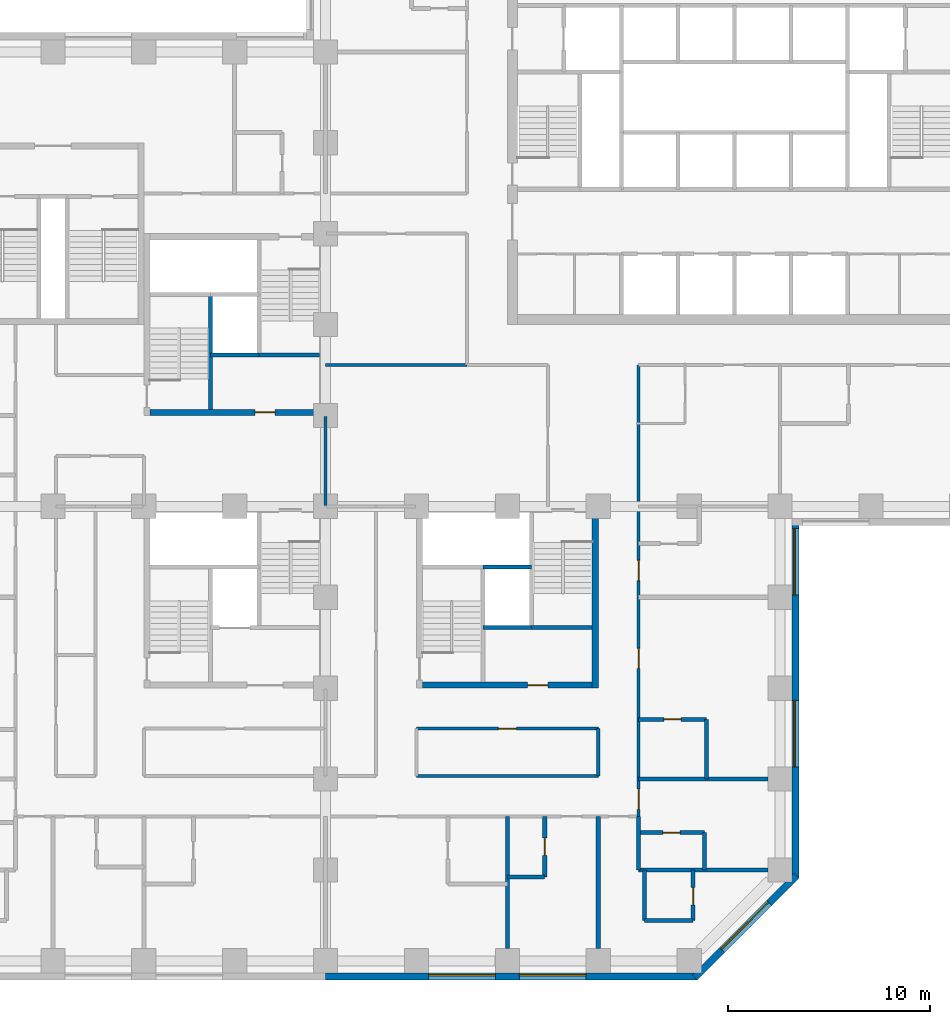
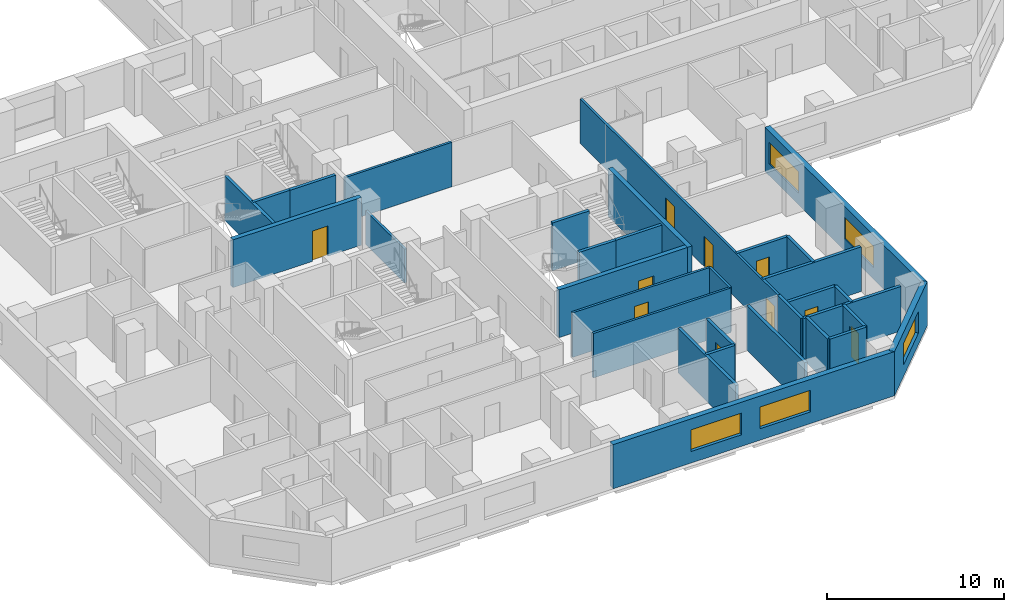
# One storey, part 4 of 12: 32 walls, 10 doors, 5 windows, 15 openings.
"""IFC4 building model written with IfcOpenShell, lengths in metres."""

from ifc_helpers import new_model, si_unit, direction, frame, frame_2d, origin, place, context, subcontext, project, spatial, rectangle, extrude, material, layer, layer_set, constituent, constituent_set, type_object, element, fill, save


model = new_model("IFC4")

# Units and contexts
model_context = context("Model", 3, precision=1e-05, world=origin(), true_north=direction((0.0, 1.0)))
body_context = subcontext(model_context, "Body", "Model", "MODEL_VIEW")
ifc_project = project(units=[si_unit("LENGTHUNIT", "METRE"), si_unit("AREAUNIT", "SQUARE_METRE"), si_unit("VOLUMEUNIT", "CUBIC_METRE"), si_unit("PLANEANGLEUNIT", "RADIAN"), si_unit("MASSUNIT", "GRAM", prefix="KILO")], contexts=[model_context])

# Site, building, storey
site_placement = place(None, origin())
site = spatial("IfcSite", under=ifc_project, at=site_placement, CompositionType="ELEMENT")
building_placement = place(site_placement, origin())
building = spatial("IfcBuilding", under=site, at=building_placement, Name="Quoin Convention Tower", CompositionType="ELEMENT")
storey_placement = place(building_placement, frame((0.0, 0.0, 46.199951171875)))
storey = spatial("IfcBuildingStorey", under=building, at=storey_placement, Name="L11", CompositionType="ELEMENT", Elevation=46.199951171875)

# Wall, openings, windows
ifc_material_1 = material(Name="Brick masonry", Category="masonry")
ifc_layer_1 = layer(ifc_material_1, 0.35009765625)
ifc_layer_set_1 = layer_set([ifc_layer_1], Name="Brick masonry")
wall_type_1 = type_object("IfcWallType", Name="Brick facade wall", PredefinedType="STANDARD", material=ifc_layer_set_1)
wall_1_placement = place(storey_placement, frame((36.0, 17.22509765625, 0.0), z_axis=(0.0, 0.0, 1.0), x_axis=(1.0, 0.0, 0.0)))
wall_1 = element("IfcWall", 1, at=wall_1_placement, inside=storey, type_object=wall_type_1, Name="fw-L11-36000_18000", PredefinedType="STANDARD", context=body_context, shape_type="SweptSolid", body=[
    extrude(rectangle(XDim=18.3935546875, YDim=0.35009765625, at=frame_2d((9.19677734375, 0.0))), origin(), (0.0, 0.0, 1.0), 3.054931640625),
])
opening_1_placement = place(wall_1_placement, frame((5.10009765625, 0.0, 0.800048828125)))
opening_1 = element("IfcOpeningElement", 2, at=opening_1_placement, cuts=wall_1, Name="Opening W-01", PredefinedType="OPENING", context=body_context, shape_type="SweptSolid", body=[
    extrude(rectangle(XDim=3.300048828125, YDim=1.5, at=frame_2d((1.64990234375, 0.75))), frame((0.0, 0.18505859375, 0.0), z_axis=(0.0, -1.0, 0.0), x_axis=(1.0, 0.0, 0.0)), (0.0, 0.0, 1.0), 0.3701171875),
])
opening_2_placement = place(wall_1_placement, frame((9.60009765625, 0.0, 0.800048828125)))
opening_2 = element("IfcOpeningElement", 3, at=opening_2_placement, cuts=wall_1, Name="Opening W-01", PredefinedType="OPENING", context=body_context, shape_type="SweptSolid", body=[
    extrude(rectangle(XDim=3.300048828125, YDim=1.5, at=frame_2d((1.64990234375, 0.75))), frame((0.0, 0.18505859375, 0.0), z_axis=(0.0, -1.0, 0.0), x_axis=(1.0, 0.0, 0.0)), (0.0, 0.0, 1.0), 0.3701171875),
])
ifc_material_2 = material(Name="Aluminium", Category="aluminium")
ifc_constituent_1 = constituent(ifc_material_2, Name="Frame")
ifc_material_3 = material(Name="Insulated glass", Category="glass")
ifc_constituent_2 = constituent(ifc_material_3, Name="Glazing")
ifc_constituent_set = constituent_set(constituents=[ifc_constituent_1, ifc_constituent_2], Name="Aluminium")
window_type = type_object("IfcWindowType", Name="Hotel strip window", PartitioningType="DOUBLE_PANEL_VERTICAL", PredefinedType="WINDOW", material=ifc_constituent_set)
window_1_placement = place(opening_1_placement, origin())
window_1 = element("IfcWindow", 4, at=window_1_placement, inside=storey, type_object=window_type, Name="win-L11-42750_17225", OverallHeight=1.5, OverallWidth=3.300048828125, PartitioningType="SINGLE_PANEL", PredefinedType="WINDOW", context=body_context, shape_type="SweptSolid", body=[
    extrude(rectangle(XDim=3.300048828125, YDim=1.5, at=frame_2d((1.64990234375, 0.75))), frame((0.0, 0.0849609375, 0.0), z_axis=(0.0, -1.0, 0.0), x_axis=(1.0, 0.0, 0.0)), (0.0, 0.0, 1.0), 0.06005859375),
])
fill(opening_1, window_1)
window_2_placement = place(opening_2_placement, origin())
window_2 = element("IfcWindow", 5, at=window_2_placement, inside=storey, type_object=window_type, Name="win-L11-47250_17225", OverallHeight=1.5, OverallWidth=3.300048828125, PartitioningType="SINGLE_PANEL", PredefinedType="WINDOW", context=body_context, shape_type="SweptSolid", body=[
    extrude(rectangle(XDim=3.300048828125, YDim=1.5, at=frame_2d((1.64990234375, 0.75))), frame((0.0, 0.0849609375, 0.0), z_axis=(0.0, -1.0, 0.0), x_axis=(1.0, 0.0, 0.0)), (0.0, 0.0, 1.0), 0.06005859375),
])
fill(opening_2, window_2)

# Wall, opening, window
wall_2_placement = place(storey_placement, frame((54.269775390625, 17.173583984375, 0.0), z_axis=(0.0, 0.0, 1.0), x_axis=(0.707106781187, 0.707106781187, 0.0)))
wall_2 = element("IfcWall", 6, at=wall_2_placement, inside=storey, type_object=wall_type_1, Name="fw-L11-54000_18000", PredefinedType="STANDARD", context=body_context, shape_type="SweptSolid", body=[
    extrude(rectangle(XDim=7.151123046875, YDim=0.35009765625, at=frame_2d((3.57568359375, 0.0))), origin(), (0.0, 0.0, 1.0), 3.054931640625),
])
opening_3_placement = place(wall_2_placement, frame((1.925537109375, 0.0, 0.800048828125)))
opening_3 = element("IfcOpeningElement", 7, at=opening_3_placement, cuts=wall_2, Name="Opening W-01", PredefinedType="OPENING", context=body_context, shape_type="SweptSolid", body=[
    extrude(rectangle(XDim=3.300048828125, YDim=1.5, at=frame_2d((1.64990234375, 0.75))), frame((0.0, 0.18505859375, 0.0), z_axis=(0.0, -1.0, 0.0), x_axis=(1.0, 0.0, 0.0)), (0.0, 0.0, 1.0), 0.3701171875),
])
window_3_placement = place(opening_3_placement, origin())
window_3 = element("IfcWindow", 8, at=window_3_placement, inside=storey, type_object=window_type, Name="win-L11-56798_19702", OverallHeight=1.5, OverallWidth=3.300048828125, PartitioningType="SINGLE_PANEL", PredefinedType="WINDOW", context=body_context, shape_type="SweptSolid", body=[
    extrude(rectangle(XDim=3.300048828125, YDim=1.5, at=frame_2d((1.64990234375, 0.75))), frame((0.0, 0.0849609375, 0.0), z_axis=(0.0, -1.0, 0.0), x_axis=(1.0, 0.0, 0.0)), (0.0, 0.0, 1.0), 0.06005859375),
])
fill(opening_3, window_3)

# Wall, openings, windows
wall_3_placement = place(storey_placement, frame((59.27490234375, 22.1064453125, 0.0), z_axis=(0.0, 0.0, 1.0), x_axis=(0.0, 1.0, 0.0)))
wall_3 = element("IfcWall", 9, at=wall_3_placement, inside=storey, type_object=wall_type_1, Name="fw-L11-58500_22500", PredefinedType="STANDARD", context=body_context, shape_type="SweptSolid", body=[
    extrude(rectangle(XDim=17.79345703125, YDim=0.35009765625, at=frame_2d((8.896728515625, 0.0))), origin(), (0.0, 0.0, 1.0), 3.054931640625),
])
opening_4_placement = place(wall_3_placement, frame((5.493408203125, 0.0, 0.800048828125)))
opening_4 = element("IfcOpeningElement", 10, at=opening_4_placement, cuts=wall_3, Name="Opening W-01", PredefinedType="OPENING", context=body_context, shape_type="SweptSolid", body=[
    extrude(rectangle(XDim=3.300048828125, YDim=1.5, at=frame_2d((1.64990234375, 0.75))), frame((0.0, 0.18505859375, 0.0), z_axis=(0.0, -1.0, 0.0), x_axis=(1.0, 0.0, 0.0)), (0.0, 0.0, 1.0), 0.3701171875),
])
opening_5_placement = place(wall_3_placement, frame((13.993408203125, 0.0, 0.800048828125)))
opening_5 = element("IfcOpeningElement", 11, at=opening_5_placement, cuts=wall_3, Name="Opening W-01", PredefinedType="OPENING", context=body_context, shape_type="SweptSolid", body=[
    extrude(rectangle(XDim=3.300048828125, YDim=1.5, at=frame_2d((1.64990234375, 0.75))), frame((0.0, 0.18505859375, 0.0), z_axis=(0.0, -1.0, 0.0), x_axis=(1.0, 0.0, 0.0)), (0.0, 0.0, 1.0), 0.3701171875),
])
window_4_placement = place(opening_4_placement, origin())
window_4 = element("IfcWindow", 12, at=window_4_placement, inside=storey, type_object=window_type, Name="win-L11-59275_29250", OverallHeight=1.5, OverallWidth=3.300048828125, PartitioningType="SINGLE_PANEL", PredefinedType="WINDOW", context=body_context, shape_type="SweptSolid", body=[
    extrude(rectangle(XDim=3.300048828125, YDim=1.5, at=frame_2d((1.64990234375, 0.75))), frame((0.0, 0.0849609375, 0.0), z_axis=(0.0, -1.0, 0.0), x_axis=(1.0, 0.0, 0.0)), (0.0, 0.0, 1.0), 0.06005859375),
])
fill(opening_4, window_4)
window_5_placement = place(opening_5_placement, origin())
window_5 = element("IfcWindow", 13, at=window_5_placement, inside=storey, type_object=window_type, Name="win-L11-59275_38250", OverallHeight=1.5, OverallWidth=3.300048828125, PartitioningType="SINGLE_PANEL", PredefinedType="WINDOW", context=body_context, shape_type="SweptSolid", body=[
    extrude(rectangle(XDim=3.300048828125, YDim=1.5, at=frame_2d((1.64990234375, 0.75))), frame((0.0, 0.0849609375, 0.0), z_axis=(0.0, -1.0, 0.0), x_axis=(1.0, 0.0, 0.0)), (0.0, 0.0, 1.0), 0.06005859375),
])
fill(opening_5, window_5)

# Walls
ifc_material_4 = material(Name="Concrete C50", Category="concrete")
ifc_layer_2 = layer(ifc_material_4, 0.199951171875)
ifc_layer_set_2 = layer_set([ifc_layer_2], Name="Concrete C50")
wall_type_2 = type_object("IfcWallType", Name="Core shaft wall", PredefinedType="SOLIDWALL", material=ifc_layer_set_2)
wall_4_placement = place(storey_placement, frame((30.300048828125, 48.0, 0.0), z_axis=(0.0, 0.0, 1.0), x_axis=(1.0, 0.0, 0.0)))
element("IfcWall", 14, at=wall_4_placement, inside=storey, type_object=wall_type_2, Name="cr-P2-L11-h3000_3300", PredefinedType="SOLIDWALL", context=body_context, shape_type="SweptSolid", body=[
    extrude(rectangle(XDim=2.39990234375, YDim=0.199951171875, at=frame_2d((1.199951171875, 0.0))), origin(), (0.0, 0.0, 1.0), 3.080078125),
])
wall_5_placement = place(storey_placement, frame((32.699951171875, 48.0, 0.0), z_axis=(0.0, 0.0, 1.0), x_axis=(1.0, 0.0, 0.0)))
element("IfcWall", 15, at=wall_5_placement, inside=storey, type_object=wall_type_2, Name="cr-P2-L11-h3000_5700", PredefinedType="SOLIDWALL", context=body_context, shape_type="SweptSolid", body=[
    extrude(rectangle(XDim=3.0, YDim=0.199951171875, at=frame_2d((1.5, 0.0))), origin(), (0.0, 0.0, 1.0), 3.080078125),
])
wall_6_placement = place(storey_placement, frame((30.300048828125, 45.300048828125, 0.0), z_axis=(0.0, 0.0, 1.0), x_axis=(0.0, 1.0, 0.0)))
element("IfcWall", 16, at=wall_6_placement, inside=storey, type_object=wall_type_2, Name="cr-P2-L11-v3300_300", PredefinedType="SOLIDWALL", context=body_context, shape_type="SweptSolid", body=[
    extrude(rectangle(XDim=5.699951171875, YDim=0.199951171875, at=frame_2d((2.85009765625, 0.0))), origin(), (0.0, 0.0, 1.0), 3.080078125),
])
wall_7_placement = place(storey_placement, frame((43.800048828125, 34.5, 0.0), z_axis=(0.0, 0.0, 1.0), x_axis=(1.0, 0.0, 0.0)))
element("IfcWall", 17, at=wall_7_placement, inside=storey, type_object=wall_type_2, Name="cr-P3-L11-h3000_3300", PredefinedType="SOLIDWALL", context=body_context, shape_type="SweptSolid", body=[
    extrude(rectangle(XDim=2.39990234375, YDim=0.199951171875, at=frame_2d((1.199951171875, 0.0))), origin(), (0.0, 0.0, 1.0), 3.080078125),
])
wall_8_placement = place(storey_placement, frame((46.199951171875, 34.5, 0.0), z_axis=(0.0, 0.0, 1.0), x_axis=(1.0, 0.0, 0.0)))
element("IfcWall", 18, at=wall_8_placement, inside=storey, type_object=wall_type_2, Name="cr-P3-L11-h3000_5700", PredefinedType="SOLIDWALL", context=body_context, shape_type="SweptSolid", body=[
    extrude(rectangle(XDim=3.0, YDim=0.199951171875, at=frame_2d((1.5, 0.0))), origin(), (0.0, 0.0, 1.0), 3.080078125),
])
ifc_layer_3 = layer(ifc_material_4, 0.199951171875)
ifc_layer_set_3 = layer_set([ifc_layer_3], Name="Concrete C50")
wall_type_3 = type_object("IfcWallType", Name="Core shaft wall to the floor level over", PredefinedType="SOLIDWALL", material=ifc_layer_set_3)
wall_9_placement = place(storey_placement, frame((43.800048828125, 37.5, 0.0), z_axis=(0.0, 0.0, 1.0), x_axis=(1.0, 0.0, 0.0)))
element("IfcWall", 19, at=wall_9_placement, inside=storey, type_object=wall_type_3, Name="cr-P3-L11-h6000_3300", PredefinedType="SOLIDWALL", context=body_context, shape_type="SweptSolid", body=[
    extrude(rectangle(XDim=2.39990234375, YDim=0.199951171875, at=frame_2d((1.199951171875, 0.0))), origin(), (0.0, 0.0, 1.0), 3.300048828125),
])

# Wall, opening, door
ifc_material_5 = material(Name="Concrete C80", Category="concrete")
ifc_layer_4 = layer(ifc_material_5, 0.300048828125)
ifc_layer_set_4 = layer_set([ifc_layer_4], Name="Concrete C80")
wall_type_4 = type_object("IfcWallType", Name="RC CORE WALL 300 C80", PredefinedType="SHEAR", material=ifc_layer_set_4)
wall_10_placement = place(storey_placement, frame((27.300048828125, 45.14990234375, 0.0), z_axis=(0.0, 0.0, 1.0), x_axis=(1.0, 0.0, 0.0)))
wall_10 = element("IfcWall", 20, at=wall_10_placement, inside=storey, type_object=wall_type_4, Name="cwl-P2-L11-S", PredefinedType="SHEAR", context=body_context, shape_type="SweptSolid", body=[
    extrude(rectangle(XDim=8.39990234375, YDim=0.300048828125, at=frame_2d((4.199951171875, 0.0))), origin(), (0.0, 0.0, 1.0), 3.300048828125),
])
opening_6_placement = place(wall_10_placement, frame((5.199951171875, 0.0, 0.0)))
opening_6 = element("IfcOpeningElement", 21, at=opening_6_placement, cuts=wall_10, Name="Opening DCV4-42", PredefinedType="OPENING", context=body_context, shape_type="SweptSolid", body=[
    extrude(rectangle(XDim=1.0, YDim=2.10009765625, at=frame_2d((0.5, 1.050048828125))), frame((0.0, 0.159912109375, 0.0), z_axis=(0.0, -1.0, 0.0), x_axis=(1.0, 0.0, 0.0)), (0.0, 0.0, 1.0), 0.320068359375),
])
ifc_material_6 = material(Name="Steel door leaf", Category="steel")
door_type_1 = type_object("IfcDoorType", Name="Service door 1000 x 2100", OperationType="SINGLE_SWING_LEFT", PredefinedType="DOOR", material=ifc_material_6)
door_1_placement = place(opening_6_placement, origin())
door_1 = element("IfcDoor", 22, at=door_1_placement, inside=storey, type_object=door_type_1, Name="cd-P2-L11-R2-S", OperationType="SINGLE_SWING_LEFT", OverallHeight=2.10009765625, OverallWidth=1.0, PredefinedType="DOOR", context=body_context, shape_type="SweptSolid", body=[
    extrude(rectangle(XDim=1.0, YDim=2.10009765625, at=frame_2d((0.5, 1.050048828125))), frame((0.0, 0.02490234375, 0.0), z_axis=(0.0, -1.0, 0.0), x_axis=(1.0, 0.0, 0.0)), (0.0, 0.0, 1.0), 0.050048828125),
])
fill(opening_6, door_1)

wall_11_placement = place(storey_placement, frame((40.800048828125, 31.64990234375, 0.0), z_axis=(0.0, 0.0, 1.0), x_axis=(1.0, 0.0, 0.0)))
wall_11 = element("IfcWall", 23, at=wall_11_placement, inside=storey, type_object=wall_type_4, Name="cwl-P3-L11-S", PredefinedType="SHEAR", context=body_context, shape_type="SweptSolid", body=[
    extrude(rectangle(XDim=8.39990234375, YDim=0.300048828125, at=frame_2d((4.199951171875, 0.0))), origin(), (0.0, 0.0, 1.0), 3.300048828125),
])
opening_7_placement = place(wall_11_placement, frame((5.199951171875, 0.0, 0.0)))
opening_7 = element("IfcOpeningElement", 24, at=opening_7_placement, cuts=wall_11, Name="Opening DCV4-43", PredefinedType="OPENING", context=body_context, shape_type="SweptSolid", body=[
    extrude(rectangle(XDim=1.0, YDim=2.10009765625, at=frame_2d((0.5, 1.050048828125))), frame((0.0, 0.159912109375, 0.0), z_axis=(0.0, -1.0, 0.0), x_axis=(1.0, 0.0, 0.0)), (0.0, 0.0, 1.0), 0.320068359375),
])
door_2_placement = place(opening_7_placement, origin())
door_2 = element("IfcDoor", 25, at=door_2_placement, inside=storey, type_object=door_type_1, Name="cd-P3-L11-R2-S", OperationType="SINGLE_SWING_LEFT", OverallHeight=2.10009765625, OverallWidth=1.0, PredefinedType="DOOR", context=body_context, shape_type="SweptSolid", body=[
    extrude(rectangle(XDim=1.0, YDim=2.10009765625, at=frame_2d((0.5, 1.050048828125))), frame((0.0, 0.02490234375, 0.0), z_axis=(0.0, -1.0, 0.0), x_axis=(1.0, 0.0, 0.0)), (0.0, 0.0, 1.0), 0.050048828125),
])
fill(opening_7, door_2)

# Walls
wall_12_placement = place(storey_placement, frame((49.35009765625, 31.5, 0.0), z_axis=(0.0, 0.0, 1.0), x_axis=(0.0, 1.0, 0.0)))
element("IfcWall", 26, at=wall_12_placement, inside=storey, type_object=wall_type_4, Name="cwl-P3-L11-E", PredefinedType="SHEAR", context=body_context, shape_type="SweptSolid", body=[
    extrude(rectangle(XDim=9.0, YDim=0.300048828125, at=frame_2d((4.5, 0.0))), origin(), (0.0, 0.0, 1.0), 3.300048828125),
])
ifc_layer_5 = layer(ifc_material_4, 0.199951171875)
ifc_layer_set_5 = layer_set([ifc_layer_5], Name="Concrete C50")
wall_type_5 = type_object("IfcWallType", Name="RC party wall", PredefinedType="SOLIDWALL", material=ifc_layer_set_5)
for number, where, z_axis, x_axis, name in (
    (27, (45.0, 18.60009765625, 0.0), (0.0, 0.0, 1.0), (0.0, 1.0, 0.0), "pw-L11-038"),
    (28, (49.5, 18.60009765625, 0.0), (0.0, 0.0, 1.0), (0.0, 1.0, 0.0), "pw-L11-039"),
):
    element("IfcWall", number, at=place(storey_placement, frame(where, z_axis=z_axis, x_axis=x_axis)), inside=storey, type_object=wall_type_5, Name=name, PredefinedType="SOLIDWALL", context=body_context, shape_type="SweptSolid", body=[
        extrude(rectangle(XDim=6.5498046875, YDim=0.199951171875, at=frame_2d((3.27490234375, 0.0))), origin(), (0.0, 0.0, 1.0), 3.080078125),
    ])
wall_13_placement = place(storey_placement, frame((51.800048828125, 20.0, 0.0), z_axis=(0.0, 0.0, 1.0), x_axis=(1.0, 0.0, 0.0)))
element("IfcWall", 29, at=wall_13_placement, inside=storey, type_object=wall_type_5, Name="pw-L11-043", PredefinedType="SOLIDWALL", context=body_context, shape_type="SweptSolid", body=[
    extrude(rectangle(XDim=2.39990234375, YDim=0.199951171875, at=frame_2d((1.199951171875, 0.0))), origin(), (0.0, 0.0, 1.0), 3.080078125),
])
wall_14_placement = place(storey_placement, frame((51.800048828125, 20.0, 0.0), z_axis=(0.0, 0.0, 1.0), x_axis=(0.0, 1.0, 0.0)))
element("IfcWall", 30, at=wall_14_placement, inside=storey, type_object=wall_type_5, Name="pw-L11-044", PredefinedType="SOLIDWALL", context=body_context, shape_type="SweptSolid", body=[
    extrude(rectangle(XDim=2.5, YDim=0.199951171875, at=frame_2d((1.25, 0.0))), origin(), (0.0, 0.0, 1.0), 3.080078125),
])

# Wall, opening, door
wall_15_placement = place(storey_placement, frame((54.199951171875, 20.0, 0.0), z_axis=(0.0, 0.0, 1.0), x_axis=(0.0, 1.0, 0.0)))
wall_15 = element("IfcWall", 31, at=wall_15_placement, inside=storey, type_object=wall_type_5, Name="pw-L11-045", PredefinedType="SOLIDWALL", context=body_context, shape_type="SweptSolid", body=[
    extrude(rectangle(XDim=2.5, YDim=0.199951171875, at=frame_2d((1.25, 0.0))), origin(), (0.0, 0.0, 1.0), 3.080078125),
])
opening_8_placement = place(wall_15_placement, frame((0.77490234375, 0.0, 0.0)))
opening_8 = element("IfcOpeningElement", 32, at=opening_8_placement, cuts=wall_15, Name="Opening DHOTEL-H-44", PredefinedType="OPENING", context=body_context, shape_type="SweptSolid", body=[
    extrude(rectangle(XDim=0.85009765625, YDim=2.10009765625, at=frame_2d((0.425048828125, 1.050048828125))), frame((0.0, 0.10986328125, 0.0), z_axis=(0.0, -1.0, 0.0), x_axis=(1.0, 0.0, 0.0)), (0.0, 0.0, 1.0), 0.219970703125),
])
door_type_2 = type_object("IfcDoorType", Name="Bathroom door", OperationType="SINGLE_SWING_LEFT", PredefinedType="DOOR", material=ifc_material_6)
door_3_placement = place(opening_8_placement, frame((0.85009765625, 0.0, 0.0), z_axis=(0.0, 0.0, 1.0), x_axis=(-1.0, 0.0, 0.0)))
door_3 = element("IfcDoor", 33, at=door_3_placement, inside=storey, type_object=door_type_2, Name="dr-L11-060", OperationType="SINGLE_SWING_LEFT", OverallHeight=2.10009765625, OverallWidth=0.85009765625, PredefinedType="DOOR", context=body_context, shape_type="SweptSolid", body=[
    extrude(rectangle(XDim=0.85009765625, YDim=2.10009765625, at=frame_2d((0.425048828125, 1.050048828125))), frame((0.0, 0.02490234375, 0.0), z_axis=(0.0, -1.0, 0.0), x_axis=(1.0, 0.0, 0.0)), (0.0, 0.0, 1.0), 0.050048828125),
])
fill(opening_8, door_3)

# Wall
wall_16_placement = place(storey_placement, frame((45.0, 22.14990234375, 0.0), z_axis=(0.0, 0.0, 1.0), x_axis=(1.0, 0.0, 0.0)))
element("IfcWall", 34, at=wall_16_placement, inside=storey, type_object=wall_type_5, Name="pw-L11-050", PredefinedType="SOLIDWALL", context=body_context, shape_type="SweptSolid", body=[
    extrude(rectangle(XDim=1.85009765625, YDim=0.199951171875, at=frame_2d((0.925048828125, 0.0))), origin(), (0.0, 0.0, 1.0), 3.080078125),
])

# Wall, opening, door
wall_17_placement = place(storey_placement, frame((46.85009765625, 22.14990234375, 0.0), z_axis=(0.0, 0.0, 1.0), x_axis=(0.0, 1.0, 0.0)))
wall_17 = element("IfcWall", 35, at=wall_17_placement, inside=storey, type_object=wall_type_5, Name="pw-L11-051", PredefinedType="SOLIDWALL", context=body_context, shape_type="SweptSolid", body=[
    extrude(rectangle(XDim=3.0, YDim=0.199951171875, at=frame_2d((1.5, 0.0))), origin(), (0.0, 0.0, 1.0), 3.080078125),
])
opening_9_placement = place(wall_17_placement, frame((1.074951171875, 0.0, 0.0)))
opening_9 = element("IfcOpeningElement", 36, at=opening_9_placement, cuts=wall_17, Name="Opening DHOTEL-H-47", PredefinedType="OPENING", context=body_context, shape_type="SweptSolid", body=[
    extrude(rectangle(XDim=0.85009765625, YDim=2.10009765625, at=frame_2d((0.425048828125, 1.050048828125))), frame((0.0, 0.10986328125, 0.0), z_axis=(0.0, -1.0, 0.0), x_axis=(1.0, 0.0, 0.0)), (0.0, 0.0, 1.0), 0.219970703125),
])
door_4_placement = place(opening_9_placement, frame((0.85009765625, 0.0, 0.0), z_axis=(0.0, 0.0, 1.0), x_axis=(-1.0, 0.0, 0.0)))
door_4 = element("IfcDoor", 37, at=door_4_placement, inside=storey, type_object=door_type_2, Name="dr-L11-008", OperationType="SINGLE_SWING_LEFT", OverallHeight=2.10009765625, OverallWidth=0.85009765625, PredefinedType="DOOR", context=body_context, shape_type="SweptSolid", body=[
    extrude(rectangle(XDim=0.85009765625, YDim=2.10009765625, at=frame_2d((0.425048828125, 1.050048828125))), frame((0.0, 0.02490234375, 0.0), z_axis=(0.0, -1.0, 0.0), x_axis=(1.0, 0.0, 0.0)), (0.0, 0.0, 1.0), 0.050048828125),
])
fill(opening_9, door_4)

# Walls
wall_18_placement = place(storey_placement, frame((51.5, 22.5, 0.0), z_axis=(0.0, 0.0, 1.0), x_axis=(1.0, 0.0, 0.0)))
element("IfcWall", 38, at=wall_18_placement, inside=storey, type_object=wall_type_5, Name="pw-L11-055", PredefinedType="SOLIDWALL", context=body_context, shape_type="SweptSolid", body=[
    extrude(rectangle(XDim=6.39990234375, YDim=0.199951171875, at=frame_2d((3.199951171875, 0.0))), origin(), (0.0, 0.0, 1.0), 3.080078125),
])
wall_19_placement = place(storey_placement, frame((51.5, 22.5, 0.0), z_axis=(0.0, 0.0, 1.0), x_axis=(0.0, 1.0, 0.0)))
element("IfcWall", 39, at=wall_19_placement, inside=storey, type_object=wall_type_5, Name="pw-L11-056", PredefinedType="SOLIDWALL", context=body_context, shape_type="SweptSolid", body=[
    extrude(rectangle(XDim=2.64990234375, YDim=0.199951171875, at=frame_2d((1.324951171875, 0.0))), origin(), (0.0, 0.0, 1.0), 3.080078125),
])
wall_20_placement = place(storey_placement, frame((54.75, 22.5, 0.0), z_axis=(0.0, 0.0, 1.0), x_axis=(0.0, 1.0, 0.0)))
element("IfcWall", 40, at=wall_20_placement, inside=storey, type_object=wall_type_5, Name="pw-L11-057", PredefinedType="SOLIDWALL", context=body_context, shape_type="SweptSolid", body=[
    extrude(rectangle(XDim=1.85009765625, YDim=0.199951171875, at=frame_2d((0.925048828125, 0.0))), origin(), (0.0, 0.0, 1.0), 3.080078125),
])

# Wall, opening, door
wall_21_placement = place(storey_placement, frame((51.5, 24.35009765625, 0.0), z_axis=(0.0, 0.0, 1.0), x_axis=(1.0, 0.0, 0.0)))
wall_21 = element("IfcWall", 41, at=wall_21_placement, inside=storey, type_object=wall_type_5, Name="pw-L11-060", PredefinedType="SOLIDWALL", context=body_context, shape_type="SweptSolid", body=[
    extrude(rectangle(XDim=3.25, YDim=0.199951171875, at=frame_2d((1.625, 0.0))), origin(), (0.0, 0.0, 1.0), 3.080078125),
])
opening_10_placement = place(wall_21_placement, frame((1.199951171875, 0.0, 0.0)))
opening_10 = element("IfcOpeningElement", 42, at=opening_10_placement, cuts=wall_21, Name="Opening DHOTEL-H-49", PredefinedType="OPENING", context=body_context, shape_type="SweptSolid", body=[
    extrude(rectangle(XDim=0.85009765625, YDim=2.10009765625, at=frame_2d((0.425048828125, 1.050048828125))), frame((0.0, 0.10986328125, 0.0), z_axis=(0.0, -1.0, 0.0), x_axis=(1.0, 0.0, 0.0)), (0.0, 0.0, 1.0), 0.219970703125),
])
door_5_placement = place(opening_10_placement, origin())
door_5 = element("IfcDoor", 43, at=door_5_placement, inside=storey, type_object=door_type_2, Name="dr-L11-020", OperationType="SINGLE_SWING_LEFT", OverallHeight=2.10009765625, OverallWidth=0.85009765625, PredefinedType="DOOR", context=body_context, shape_type="SweptSolid", body=[
    extrude(rectangle(XDim=0.85009765625, YDim=2.10009765625, at=frame_2d((0.425048828125, 1.050048828125))), frame((0.0, 0.02490234375, 0.0), z_axis=(0.0, -1.0, 0.0), x_axis=(1.0, 0.0, 0.0)), (0.0, 0.0, 1.0), 0.050048828125),
])
fill(opening_10, door_5)

# Walls
wall_22_placement = place(storey_placement, frame((51.5, 27.0, 0.0), z_axis=(0.0, 0.0, 1.0), x_axis=(1.0, 0.0, 0.0)))
element("IfcWall", 44, at=wall_22_placement, inside=storey, type_object=wall_type_5, Name="pw-L11-064", PredefinedType="SOLIDWALL", context=body_context, shape_type="SweptSolid", body=[
    extrude(rectangle(XDim=6.39990234375, YDim=0.199951171875, at=frame_2d((3.199951171875, 0.0))), origin(), (0.0, 0.0, 1.0), 3.080078125),
])
wall_23_placement = place(storey_placement, frame((54.85009765625, 27.0, 0.0), z_axis=(0.0, 0.0, 1.0), x_axis=(0.0, 1.0, 0.0)))
element("IfcWall", 45, at=wall_23_placement, inside=storey, type_object=wall_type_5, Name="pw-L11-065", PredefinedType="SOLIDWALL", context=body_context, shape_type="SweptSolid", body=[
    extrude(rectangle(XDim=2.949951171875, YDim=0.199951171875, at=frame_2d((1.47509765625, 0.0))), origin(), (0.0, 0.0, 1.0), 3.080078125),
])

# Wall, opening, door
wall_24_placement = place(storey_placement, frame((51.5, 29.949951171875, 0.0), z_axis=(0.0, 0.0, 1.0), x_axis=(1.0, 0.0, 0.0)))
wall_24 = element("IfcWall", 46, at=wall_24_placement, inside=storey, type_object=wall_type_5, Name="pw-L11-067", PredefinedType="SOLIDWALL", context=body_context, shape_type="SweptSolid", body=[
    extrude(rectangle(XDim=3.35009765625, YDim=0.199951171875, at=frame_2d((1.675048828125, 0.0))), origin(), (0.0, 0.0, 1.0), 3.080078125),
])
opening_11_placement = place(wall_24_placement, frame((1.25, 0.0, 0.0)))
opening_11 = element("IfcOpeningElement", 47, at=opening_11_placement, cuts=wall_24, Name="Opening DHOTEL-H-52", PredefinedType="OPENING", context=body_context, shape_type="SweptSolid", body=[
    extrude(rectangle(XDim=0.85009765625, YDim=2.10009765625, at=frame_2d((0.425048828125, 1.050048828125))), frame((0.0, 0.10986328125, 0.0), z_axis=(0.0, -1.0, 0.0), x_axis=(1.0, 0.0, 0.0)), (0.0, 0.0, 1.0), 0.219970703125),
])
door_6_placement = place(opening_11_placement, origin())
door_6 = element("IfcDoor", 48, at=door_6_placement, inside=storey, type_object=door_type_2, Name="dr-L11-022", OperationType="SINGLE_SWING_LEFT", OverallHeight=2.10009765625, OverallWidth=0.85009765625, PredefinedType="DOOR", context=body_context, shape_type="SweptSolid", body=[
    extrude(rectangle(XDim=0.85009765625, YDim=2.10009765625, at=frame_2d((0.425048828125, 1.050048828125))), frame((0.0, 0.02490234375, 0.0), z_axis=(0.0, -1.0, 0.0), x_axis=(1.0, 0.0, 0.0)), (0.0, 0.0, 1.0), 0.050048828125),
])
fill(opening_11, door_6)

# Wall, openings, doors
ifc_material_7 = material(Name="Plasterboard")
ifc_layer_6 = layer(ifc_material_7, 0.012451171875, Name="Finish")
ifc_material_8 = material(Name="Steel stud framing", Category="steel")
ifc_layer_7 = layer(ifc_material_8, 0.125, Name="Structure")
ifc_layer_8 = layer(ifc_material_7, 0.012451171875, Name="Finish")
ifc_layer_set_6 = layer_set([ifc_layer_6, ifc_layer_7, ifc_layer_8], Name="Steel stud framing")
wall_type_6 = type_object("IfcWallType", Name="corridor partition", PredefinedType="PARTITIONING", material=ifc_layer_set_6)
wall_25_placement = place(storey_placement, frame((51.5, 25.14990234375, 0.0), z_axis=(0.0, 0.0, 1.0), x_axis=(0.0, 1.0, 0.0)))
wall_25 = element("IfcWall", 49, at=wall_25_placement, inside=storey, type_object=wall_type_6, Name="pw-L11-005", PredefinedType="PARTITIONING", context=body_context, shape_type="SweptSolid", body=[
    extrude(rectangle(XDim=22.35009765625, YDim=0.14990234375, at=frame_2d((11.175048828125, 0.0))), origin(), (0.0, 0.0, 1.0), 3.080078125),
])
opening_12_placement = place(wall_25_placement, frame((0.346923828125, 0.0, 0.0)))
opening_12 = element("IfcOpeningElement", 50, at=opening_12_placement, cuts=wall_25, Name="Opening DHOTEL-H-11", PredefinedType="OPENING", context=body_context, shape_type="SweptSolid", body=[
    extrude(rectangle(XDim=1.0, YDim=2.10009765625, at=frame_2d((0.5, 1.050048828125))), frame((0.0, 0.0849609375, 0.0), z_axis=(0.0, -1.0, 0.0), x_axis=(1.0, 0.0, 0.0)), (0.0, 0.0, 1.0), 0.169921875),
])
opening_13_placement = place(wall_25_placement, frame((7.324951171875, 0.0, 0.0)))
opening_13 = element("IfcOpeningElement", 51, at=opening_13_placement, cuts=wall_25, Name="Opening DHOTEL-H-12", PredefinedType="OPENING", context=body_context, shape_type="SweptSolid", body=[
    extrude(rectangle(XDim=1.0, YDim=2.10009765625, at=frame_2d((0.5, 1.050048828125))), frame((0.0, 0.0849609375, 0.0), z_axis=(0.0, -1.0, 0.0), x_axis=(1.0, 0.0, 0.0)), (0.0, 0.0, 1.0), 0.169921875),
])
opening_14_placement = place(wall_25_placement, frame((11.675048828125, 0.0, 0.0)))
opening_14 = element("IfcOpeningElement", 52, at=opening_14_placement, cuts=wall_25, Name="Opening DHOTEL-H-13", PredefinedType="OPENING", context=body_context, shape_type="SweptSolid", body=[
    extrude(rectangle(XDim=1.0, YDim=2.10009765625, at=frame_2d((0.5, 1.050048828125))), frame((0.0, 0.0849609375, 0.0), z_axis=(0.0, -1.0, 0.0), x_axis=(1.0, 0.0, 0.0)), (0.0, 0.0, 1.0), 0.169921875),
])
door_type_3 = type_object("IfcDoorType", Name="Hotel room door", OperationType="SINGLE_SWING_LEFT", PredefinedType="DOOR", material=ifc_material_6)
door_7_placement = place(opening_12_placement, frame((1.0, 0.0, 0.0), z_axis=(0.0, 0.0, 1.0), x_axis=(-1.0, 0.0, 0.0)))
door_7 = element("IfcDoor", 53, at=door_7_placement, inside=storey, type_object=door_type_3, Name="dr-L11-019", OperationType="SINGLE_SWING_RIGHT", OverallHeight=2.10009765625, OverallWidth=1.0, PredefinedType="DOOR", context=body_context, shape_type="SweptSolid", body=[
    extrude(rectangle(XDim=1.0, YDim=2.10009765625, at=frame_2d((0.5, 1.050048828125))), frame((0.0, 0.02490234375, 0.0), z_axis=(0.0, -1.0, 0.0), x_axis=(1.0, 0.0, 0.0)), (0.0, 0.0, 1.0), 0.050048828125),
])
fill(opening_12, door_7)
door_8_placement = place(opening_13_placement, frame((1.0, 0.0, 0.0), z_axis=(0.0, 0.0, 1.0), x_axis=(-1.0, 0.0, 0.0)))
door_8 = element("IfcDoor", 54, at=door_8_placement, inside=storey, type_object=door_type_3, Name="dr-L11-021", OperationType="SINGLE_SWING_LEFT", OverallHeight=2.10009765625, OverallWidth=1.0, PredefinedType="DOOR", context=body_context, shape_type="SweptSolid", body=[
    extrude(rectangle(XDim=1.0, YDim=2.10009765625, at=frame_2d((0.5, 1.050048828125))), frame((0.0, 0.02490234375, 0.0), z_axis=(0.0, -1.0, 0.0), x_axis=(1.0, 0.0, 0.0)), (0.0, 0.0, 1.0), 0.050048828125),
])
fill(opening_13, door_8)
door_9_placement = place(opening_14_placement, frame((1.0, 0.0, 0.0), z_axis=(0.0, 0.0, 1.0), x_axis=(-1.0, 0.0, 0.0)))
door_9 = element("IfcDoor", 55, at=door_9_placement, inside=storey, type_object=door_type_3, Name="dr-L11-023", OperationType="SINGLE_SWING_LEFT", OverallHeight=2.10009765625, OverallWidth=1.0, PredefinedType="DOOR", context=body_context, shape_type="SweptSolid", body=[
    extrude(rectangle(XDim=1.0, YDim=2.10009765625, at=frame_2d((0.5, 1.050048828125))), frame((0.0, 0.02490234375, 0.0), z_axis=(0.0, -1.0, 0.0), x_axis=(1.0, 0.0, 0.0)), (0.0, 0.0, 1.0), 0.050048828125),
])
fill(opening_14, door_9)

# Walls
wall_26_placement = place(storey_placement, frame((40.5, 27.14990234375, 0.0), z_axis=(0.0, 0.0, 1.0), x_axis=(1.0, 0.0, 0.0)))
element("IfcWall", 56, at=wall_26_placement, inside=storey, type_object=wall_type_6, Name="pw-L11-012", PredefinedType="PARTITIONING", context=body_context, shape_type="SweptSolid", body=[
    extrude(rectangle(XDim=9.0, YDim=0.14990234375, at=frame_2d((4.5, 0.0))), origin(), (0.0, 0.0, 1.0), 3.080078125),
])
wall_27_placement = place(storey_placement, frame((49.5, 27.14990234375, 0.0), z_axis=(0.0, 0.0, 1.0), x_axis=(0.0, 1.0, 0.0)))
element("IfcWall", 57, at=wall_27_placement, inside=storey, type_object=wall_type_6, Name="pw-L11-014", PredefinedType="PARTITIONING", context=body_context, shape_type="SweptSolid", body=[
    extrude(rectangle(XDim=2.35009765625, YDim=0.14990234375, at=frame_2d((1.175048828125, 0.0))), origin(), (0.0, 0.0, 1.0), 3.080078125),
])

# Wall, opening, door
wall_28_placement = place(storey_placement, frame((40.5, 29.5, 0.0), z_axis=(0.0, 0.0, 1.0), x_axis=(1.0, 0.0, 0.0)))
wall_28 = element("IfcWall", 58, at=wall_28_placement, inside=storey, type_object=wall_type_6, Name="pw-L11-017", PredefinedType="PARTITIONING", context=body_context, shape_type="SweptSolid", body=[
    extrude(rectangle(XDim=9.0, YDim=0.14990234375, at=frame_2d((4.5, 0.0))), origin(), (0.0, 0.0, 1.0), 3.080078125),
])
opening_15_placement = place(wall_28_placement, frame((4.050048828125, 0.0, 0.0)))
opening_15 = element("IfcOpeningElement", 59, at=opening_15_placement, cuts=wall_28, Name="Opening DHOTEL-H-18", PredefinedType="OPENING", context=body_context, shape_type="SweptSolid", body=[
    extrude(rectangle(XDim=0.89990234375, YDim=2.10009765625, at=frame_2d((0.449951171875, 1.050048828125))), frame((0.0, 0.0849609375, 0.0), z_axis=(0.0, -1.0, 0.0), x_axis=(1.0, 0.0, 0.0)), (0.0, 0.0, 1.0), 0.169921875),
])
door_type_4 = type_object("IfcDoorType", Name="Service room door", OperationType="SINGLE_SWING_LEFT", PredefinedType="DOOR", material=ifc_material_6)
door_10_placement = place(opening_15_placement, frame((0.89990234375, 0.0, 0.0), z_axis=(0.0, 0.0, 1.0), x_axis=(-1.0, 0.0, 0.0)))
door_10 = element("IfcDoor", 60, at=door_10_placement, inside=storey, type_object=door_type_4, Name="dr-L11-073", OperationType="SINGLE_SWING_LEFT", OverallHeight=2.10009765625, OverallWidth=0.89990234375, PredefinedType="DOOR", context=body_context, shape_type="SweptSolid", body=[
    extrude(rectangle(XDim=0.89990234375, YDim=2.10009765625, at=frame_2d((0.449951171875, 1.050048828125))), frame((0.0, 0.02490234375, 0.0), z_axis=(0.0, -1.0, 0.0), x_axis=(1.0, 0.0, 0.0)), (0.0, 0.0, 1.0), 0.050048828125),
])
fill(opening_15, door_10)

# Walls
ifc_layer_9 = layer(ifc_material_7, 0.012451171875, Name="Finish")
ifc_layer_10 = layer(ifc_material_8, 0.125, Name="Structure")
ifc_layer_11 = layer(ifc_material_7, 0.012451171875, Name="Finish")
ifc_layer_set_7 = layer_set([ifc_layer_9, ifc_layer_10, ifc_layer_11], Name="Steel stud framing")
wall_type_7 = type_object("IfcWallType", Name="corridor partition under beam 750", PredefinedType="PARTITIONING", material=ifc_layer_set_7)
wall_29_placement = place(storey_placement, frame((36.0, 40.550048828125, 0.0), z_axis=(0.0, 0.0, 1.0), x_axis=(0.0, 1.0, 0.0)))
element("IfcWall", 61, at=wall_29_placement, inside=storey, type_object=wall_type_7, Name="pw-L11-021", PredefinedType="PARTITIONING", context=body_context, shape_type="SweptSolid", body=[
    extrude(rectangle(XDim=4.39990234375, YDim=0.14990234375, at=frame_2d((2.199951171875, 0.0))), origin(), (0.0, 0.0, 1.0), 2.330078125),
])
ifc_layer_12 = layer(ifc_material_7, 0.012451171875, Name="Finish")
ifc_layer_13 = layer(ifc_material_8, 0.125, Name="Structure")
ifc_layer_14 = layer(ifc_material_7, 0.012451171875, Name="Finish")
ifc_layer_set_8 = layer_set([ifc_layer_12, ifc_layer_13, ifc_layer_14], Name="Steel stud framing")
wall_type_8 = type_object("IfcWallType", Name="room partition", PredefinedType="PARTITIONING", material=ifc_layer_set_8)
wall_30_placement = place(storey_placement, frame((36.0, 47.5, 0.0), z_axis=(0.0, 0.0, 1.0), x_axis=(1.0, 0.0, 0.0)))
element("IfcWall", 62, at=wall_30_placement, inside=storey, type_object=wall_type_8, Name="pw-L11-158", PredefinedType="PARTITIONING", context=body_context, shape_type="SweptSolid", body=[
    extrude(rectangle(XDim=7.0, YDim=0.14990234375, at=frame_2d((3.5, 0.0))), origin(), (0.0, 0.0, 1.0), 3.080078125),
])

save(model, "model.ifc")
